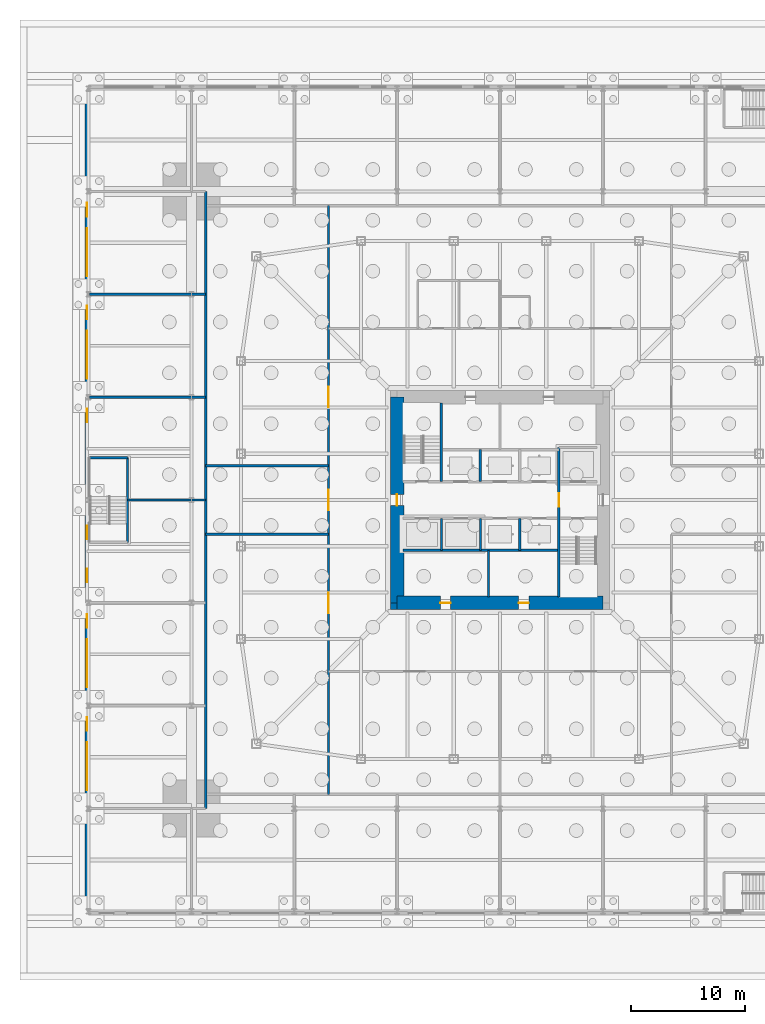
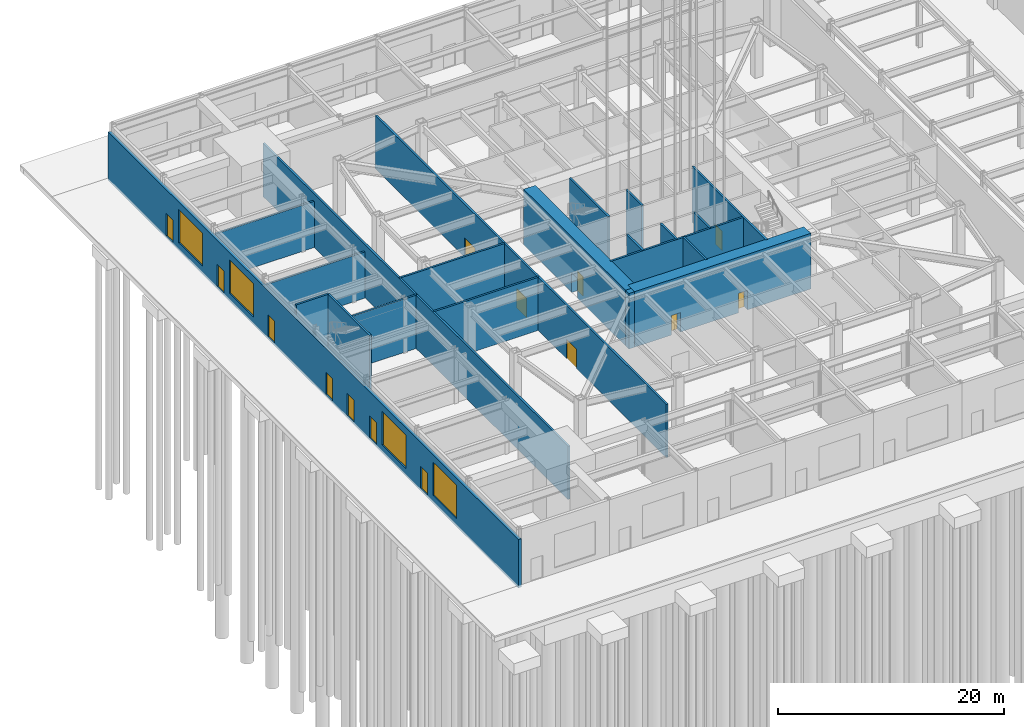
# One storey, part 14 of 37: 21 walls, 14 doors, 4 windows, 18 openings.
"""IFC4 building model written with IfcOpenShell, lengths in metres."""

from ifc_helpers import new_model, si_unit, direction, frame, frame_2d, origin, place, context, subcontext, project, spatial, rectangle, extrude, material, layer, layer_set, type_object, element, fill, save


model = new_model("IFC4")

# Units and contexts
model_context = context("Model", 3, precision=1e-05, world=origin(), true_north=direction((0.0, 1.0)))
body_context = subcontext(model_context, "Body", "Model", "MODEL_VIEW")
ifc_project = project(units=[si_unit("LENGTHUNIT", "METRE"), si_unit("AREAUNIT", "SQUARE_METRE"), si_unit("VOLUMEUNIT", "CUBIC_METRE"), si_unit("PLANEANGLEUNIT", "RADIAN"), si_unit("MASSUNIT", "GRAM", prefix="KILO")], contexts=[model_context])

# Site, building, storey
site_placement = place(None, origin())
site = spatial("IfcSite", under=ifc_project, at=site_placement, CompositionType="ELEMENT")
building_placement = place(site_placement, origin())
building = spatial("IfcBuilding", under=site, at=building_placement, Name="Iwan Alto Co-Living Towers", CompositionType="ELEMENT")
storey_placement = place(building_placement, origin())
storey = spatial("IfcBuildingStorey", under=building, at=storey_placement, Name="L00", CompositionType="ELEMENT", Elevation=0.0)

# Wall, openings, doors, windows
ifc_material_1 = material(Name="Fired clay brick facing", Category="masonry")
ifc_layer_1 = layer(ifc_material_1, 0.10009765625, Name="Brick facing", Category="Finish")
ifc_material_2 = material(Name="Concrete f'c 70 MPa", Category="concrete")
ifc_layer_2 = layer(ifc_material_2, 0.199951171875, Name="Reinforced concrete", Category="LoadBearing")
ifc_layer_set_1 = layer_set([ifc_layer_1, ifc_layer_2], Name="PODIUM BRICK WALL 300")
wall_type_1 = type_object("IfcWallType", Name="PODIUM BRICK WALL 300", PredefinedType="SOLIDWALL", material=ifc_layer_set_1)
wall_1_placement = place(storey_placement, frame((-36.14990234375, 36.300048828125, -0.25), z_axis=(0.0, 0.0, 1.0), x_axis=(0.0, -1.0, 0.0)))
wall_1 = element("IfcWall", 1, at=wall_1_placement, inside=storey, type_object=wall_type_1, Name="Podium wall W L00", PredefinedType="SOLIDWALL", context=body_context, shape_type="SweptSolid", body=[
    extrude(rectangle(XDim=72.60009765625, YDim=0.300048828125, at=frame_2d((36.300048828125, 0.0))), origin(), (0.0, 0.0, 1.0), 5.23046875),
])
opening_1_placement = place(wall_1_placement, frame((55.300048828125, 0.0, 0.25)))
opening_1 = element("IfcOpeningElement", 2, at=opening_1_placement, cuts=wall_1, Name="Opening DE1", PredefinedType="OPENING", context=body_context, shape_type="SweptSolid", body=[
    extrude(rectangle(XDim=1.199951171875, YDim=2.39990234375, at=frame_2d((0.60009765625, 1.199951171875))), frame((0.0, 0.159912109375, 0.0), z_axis=(0.0, -1.0, 0.0), x_axis=(1.0, 0.0, 0.0)), (0.0, 0.0, 1.0), 0.320068359375),
])
opening_2_placement = place(wall_1_placement, frame((57.5, 0.0, 0.85009765625)))
opening_2 = element("IfcOpeningElement", 3, at=opening_2_placement, cuts=wall_1, Name="Opening WN2", PredefinedType="OPENING", context=body_context, shape_type="SweptSolid", body=[
    extrude(rectangle(XDim=4.199951171875, YDim=3.60009765625, at=frame_2d((2.10009765625, 1.800048828125))), frame((0.0, 0.159912109375, 0.0), z_axis=(0.0, -1.0, 0.0), x_axis=(1.0, 0.0, 0.0)), (0.0, 0.0, 1.0), 0.320068359375),
])
opening_3_placement = place(wall_1_placement, frame((46.300048828125, 0.0, 0.25)))
opening_3 = element("IfcOpeningElement", 4, at=opening_3_placement, cuts=wall_1, Name="Opening DE1", PredefinedType="OPENING", context=body_context, shape_type="SweptSolid", body=[
    extrude(rectangle(XDim=1.199951171875, YDim=2.39990234375, at=frame_2d((0.60009765625, 1.199951171875))), frame((0.0, 0.159912109375, 0.0), z_axis=(0.0, -1.0, 0.0), x_axis=(1.0, 0.0, 0.0)), (0.0, 0.0, 1.0), 0.320068359375),
])
opening_4_placement = place(wall_1_placement, frame((48.5, 0.0, 0.85009765625)))
opening_4 = element("IfcOpeningElement", 5, at=opening_4_placement, cuts=wall_1, Name="Opening WN2", PredefinedType="OPENING", context=body_context, shape_type="SweptSolid", body=[
    extrude(rectangle(XDim=4.199951171875, YDim=3.60009765625, at=frame_2d((2.10009765625, 1.800048828125))), frame((0.0, 0.159912109375, 0.0), z_axis=(0.0, -1.0, 0.0), x_axis=(1.0, 0.0, 0.0)), (0.0, 0.0, 1.0), 0.320068359375),
])
opening_5_placement = place(wall_1_placement, frame((19.300048828125, 0.0, 0.25)))
opening_5 = element("IfcOpeningElement", 6, at=opening_5_placement, cuts=wall_1, Name="Opening DE1", PredefinedType="OPENING", context=body_context, shape_type="SweptSolid", body=[
    extrude(rectangle(XDim=1.199951171875, YDim=2.39990234375, at=frame_2d((0.60009765625, 1.199951171875))), frame((0.0, 0.159912109375, 0.0), z_axis=(0.0, -1.0, 0.0), x_axis=(1.0, 0.0, 0.0)), (0.0, 0.0, 1.0), 0.320068359375),
])
opening_6_placement = place(wall_1_placement, frame((21.5, 0.0, 0.85009765625)))
opening_6 = element("IfcOpeningElement", 7, at=opening_6_placement, cuts=wall_1, Name="Opening WN2", PredefinedType="OPENING", context=body_context, shape_type="SweptSolid", body=[
    extrude(rectangle(XDim=4.199951171875, YDim=3.60009765625, at=frame_2d((2.10009765625, 1.800048828125))), frame((0.0, 0.159912109375, 0.0), z_axis=(0.0, -1.0, 0.0), x_axis=(1.0, 0.0, 0.0)), (0.0, 0.0, 1.0), 0.320068359375),
])
opening_7_placement = place(wall_1_placement, frame((10.300048828125, 0.0, 0.25)))
opening_7 = element("IfcOpeningElement", 8, at=opening_7_placement, cuts=wall_1, Name="Opening DE1", PredefinedType="OPENING", context=body_context, shape_type="SweptSolid", body=[
    extrude(rectangle(XDim=1.199951171875, YDim=2.39990234375, at=frame_2d((0.60009765625, 1.199951171875))), frame((0.0, 0.159912109375, 0.0), z_axis=(0.0, -1.0, 0.0), x_axis=(1.0, 0.0, 0.0)), (0.0, 0.0, 1.0), 0.320068359375),
])
opening_8_placement = place(wall_1_placement, frame((12.5, 0.0, 0.85009765625)))
opening_8 = element("IfcOpeningElement", 9, at=opening_8_placement, cuts=wall_1, Name="Opening WN2", PredefinedType="OPENING", context=body_context, shape_type="SweptSolid", body=[
    extrude(rectangle(XDim=4.199951171875, YDim=3.60009765625, at=frame_2d((2.10009765625, 1.800048828125))), frame((0.0, 0.159912109375, 0.0), z_axis=(0.0, -1.0, 0.0), x_axis=(1.0, 0.0, 0.0)), (0.0, 0.0, 1.0), 0.320068359375),
])
opening_9_placement = place(wall_1_placement, frame((38.550048828125, 0.0, 0.25)))
opening_9 = element("IfcOpeningElement", 10, at=opening_9_placement, cuts=wall_1, Name="Opening DE3", PredefinedType="OPENING", context=body_context, shape_type="SweptSolid", body=[
    extrude(rectangle(XDim=1.199951171875, YDim=2.39990234375, at=frame_2d((0.60009765625, 1.199951171875))), frame((0.0, 0.159912109375, 0.0), z_axis=(0.0, -1.0, 0.0), x_axis=(1.0, 0.0, 0.0)), (0.0, 0.0, 1.0), 0.320068359375),
])
opening_10_placement = place(wall_1_placement, frame((42.300048828125, 0.0, 0.25)))
opening_10 = element("IfcOpeningElement", 11, at=opening_10_placement, cuts=wall_1, Name="Opening DE1", PredefinedType="OPENING", context=body_context, shape_type="SweptSolid", body=[
    extrude(rectangle(XDim=1.199951171875, YDim=2.39990234375, at=frame_2d((0.60009765625, 1.199951171875))), frame((0.0, 0.159912109375, 0.0), z_axis=(0.0, -1.0, 0.0), x_axis=(1.0, 0.0, 0.0)), (0.0, 0.0, 1.0), 0.320068359375),
])
opening_11_placement = place(wall_1_placement, frame((28.300048828125, 0.0, 0.25)))
opening_11 = element("IfcOpeningElement", 12, at=opening_11_placement, cuts=wall_1, Name="Opening DE1", PredefinedType="OPENING", context=body_context, shape_type="SweptSolid", body=[
    extrude(rectangle(XDim=1.199951171875, YDim=2.39990234375, at=frame_2d((0.60009765625, 1.199951171875))), frame((0.0, 0.159912109375, 0.0), z_axis=(0.0, -1.0, 0.0), x_axis=(1.0, 0.0, 0.0)), (0.0, 0.0, 1.0), 0.320068359375),
])
ifc_material_3 = material(Name="Steel door", Category="steel")
door_type_1 = type_object("IfcDoorType", Name="EXIT DOOR FD60 1200X2400", OperationType="SINGLE_SWING_LEFT", PredefinedType="DOOR", material=ifc_material_3)
door_1_placement = place(opening_9_placement, frame((1.199951171875, 0.0, 0.0), z_axis=(0.0, 0.0, 1.0), x_axis=(-1.0, 0.0, 0.0)))
door_1 = element("IfcDoor", 13, at=door_1_placement, inside=storey, type_object=door_type_1, Name="Stair PS1 exit door", OperationType="SINGLE_SWING_LEFT", OverallHeight=2.39990234375, OverallWidth=1.199951171875, PredefinedType="DOOR", context=body_context, shape_type="SweptSolid", body=[
    extrude(rectangle(XDim=1.199951171875, YDim=2.39990234375, at=frame_2d((0.60009765625, 1.199951171875))), frame((0.0, 0.02490234375, 0.0), z_axis=(0.0, -1.0, 0.0), x_axis=(1.0, 0.0, 0.0)), (0.0, 0.0, 1.0), 0.050048828125),
])
fill(opening_9, door_1)
ifc_material_4 = material(Name="Bronze aluminium glazed door", Category="aluminium")
door_type_2 = type_object("IfcDoorType", Name="SHOP DOOR 1200X2400", OperationType="SINGLE_SWING_LEFT", PredefinedType="DOOR", material=ifc_material_4)
door_2_placement = place(opening_1_placement, frame((1.199951171875, 0.0, 0.0), z_axis=(0.0, 0.0, 1.0), x_axis=(-1.0, 0.0, 0.0)))
door_2 = element("IfcDoor", 14, at=door_2_placement, inside=storey, type_object=door_type_2, Name="Shop door", OperationType="SINGLE_SWING_LEFT", OverallHeight=2.39990234375, OverallWidth=1.199951171875, PredefinedType="DOOR", context=body_context, shape_type="SweptSolid", body=[
    extrude(rectangle(XDim=1.199951171875, YDim=2.39990234375, at=frame_2d((0.60009765625, 1.199951171875))), frame((0.0, 0.02490234375, 0.0), z_axis=(0.0, -1.0, 0.0), x_axis=(1.0, 0.0, 0.0)), (0.0, 0.0, 1.0), 0.050048828125),
])
fill(opening_1, door_2)
door_3_placement = place(opening_3_placement, frame((1.199951171875, 0.0, 0.0), z_axis=(0.0, 0.0, 1.0), x_axis=(-1.0, 0.0, 0.0)))
door_3 = element("IfcDoor", 15, at=door_3_placement, inside=storey, type_object=door_type_2, Name="Shop door", OperationType="SINGLE_SWING_LEFT", OverallHeight=2.39990234375, OverallWidth=1.199951171875, PredefinedType="DOOR", context=body_context, shape_type="SweptSolid", body=[
    extrude(rectangle(XDim=1.199951171875, YDim=2.39990234375, at=frame_2d((0.60009765625, 1.199951171875))), frame((0.0, 0.02490234375, 0.0), z_axis=(0.0, -1.0, 0.0), x_axis=(1.0, 0.0, 0.0)), (0.0, 0.0, 1.0), 0.050048828125),
])
fill(opening_3, door_3)
door_4_placement = place(opening_5_placement, frame((1.199951171875, 0.0, 0.0), z_axis=(0.0, 0.0, 1.0), x_axis=(-1.0, 0.0, 0.0)))
door_4 = element("IfcDoor", 16, at=door_4_placement, inside=storey, type_object=door_type_2, Name="Shop door", OperationType="SINGLE_SWING_RIGHT", OverallHeight=2.39990234375, OverallWidth=1.199951171875, PredefinedType="DOOR", context=body_context, shape_type="SweptSolid", body=[
    extrude(rectangle(XDim=1.199951171875, YDim=2.39990234375, at=frame_2d((0.60009765625, 1.199951171875))), frame((0.0, 0.02490234375, 0.0), z_axis=(0.0, -1.0, 0.0), x_axis=(1.0, 0.0, 0.0)), (0.0, 0.0, 1.0), 0.050048828125),
])
fill(opening_5, door_4)
door_5_placement = place(opening_7_placement, frame((1.199951171875, 0.0, 0.0), z_axis=(0.0, 0.0, 1.0), x_axis=(-1.0, 0.0, 0.0)))
door_5 = element("IfcDoor", 17, at=door_5_placement, inside=storey, type_object=door_type_2, Name="Shop door", OperationType="SINGLE_SWING_RIGHT", OverallHeight=2.39990234375, OverallWidth=1.199951171875, PredefinedType="DOOR", context=body_context, shape_type="SweptSolid", body=[
    extrude(rectangle(XDim=1.199951171875, YDim=2.39990234375, at=frame_2d((0.60009765625, 1.199951171875))), frame((0.0, 0.02490234375, 0.0), z_axis=(0.0, -1.0, 0.0), x_axis=(1.0, 0.0, 0.0)), (0.0, 0.0, 1.0), 0.050048828125),
])
fill(opening_7, door_5)
door_6_placement = place(opening_10_placement, frame((1.199951171875, 0.0, 0.0), z_axis=(0.0, 0.0, 1.0), x_axis=(-1.0, 0.0, 0.0)))
door_6 = element("IfcDoor", 18, at=door_6_placement, inside=storey, type_object=door_type_2, Name="Shop door", OperationType="SINGLE_SWING_LEFT", OverallHeight=2.39990234375, OverallWidth=1.199951171875, PredefinedType="DOOR", context=body_context, shape_type="SweptSolid", body=[
    extrude(rectangle(XDim=1.199951171875, YDim=2.39990234375, at=frame_2d((0.60009765625, 1.199951171875))), frame((0.0, 0.02490234375, 0.0), z_axis=(0.0, -1.0, 0.0), x_axis=(1.0, 0.0, 0.0)), (0.0, 0.0, 1.0), 0.050048828125),
])
fill(opening_10, door_6)
door_7_placement = place(opening_11_placement, frame((1.199951171875, 0.0, 0.0), z_axis=(0.0, 0.0, 1.0), x_axis=(-1.0, 0.0, 0.0)))
door_7 = element("IfcDoor", 19, at=door_7_placement, inside=storey, type_object=door_type_2, Name="Shop door", OperationType="SINGLE_SWING_RIGHT", OverallHeight=2.39990234375, OverallWidth=1.199951171875, PredefinedType="DOOR", context=body_context, shape_type="SweptSolid", body=[
    extrude(rectangle(XDim=1.199951171875, YDim=2.39990234375, at=frame_2d((0.60009765625, 1.199951171875))), frame((0.0, 0.02490234375, 0.0), z_axis=(0.0, -1.0, 0.0), x_axis=(1.0, 0.0, 0.0)), (0.0, 0.0, 1.0), 0.050048828125),
])
fill(opening_11, door_7)
ifc_material_5 = material(Name="Bronze aluminium shopfront frame", Category="aluminium")
window_type = type_object("IfcWindowType", Name="WN2 SHOPFRONT 4200X3600", PartitioningType="SINGLE_PANEL", PredefinedType="WINDOW", material=ifc_material_5)
window_1_placement = place(opening_2_placement, origin())
window_1 = element("IfcWindow", 20, at=window_1_placement, inside=storey, type_object=window_type, Name="Shopfront", OverallHeight=3.60009765625, OverallWidth=4.199951171875, PartitioningType="SINGLE_PANEL", PredefinedType="WINDOW", context=body_context, shape_type="SweptSolid", body=[
    extrude(rectangle(XDim=4.199951171875, YDim=3.60009765625, at=frame_2d((2.10009765625, 1.800048828125))), frame((0.0, 0.030029296875, 0.0), z_axis=(0.0, -1.0, 0.0), x_axis=(1.0, 0.0, 0.0)), (0.0, 0.0, 1.0), 0.06005859375),
])
fill(opening_2, window_1)
window_2_placement = place(opening_4_placement, origin())
window_2 = element("IfcWindow", 21, at=window_2_placement, inside=storey, type_object=window_type, Name="Shopfront", OverallHeight=3.60009765625, OverallWidth=4.199951171875, PartitioningType="SINGLE_PANEL", PredefinedType="WINDOW", context=body_context, shape_type="SweptSolid", body=[
    extrude(rectangle(XDim=4.199951171875, YDim=3.60009765625, at=frame_2d((2.10009765625, 1.800048828125))), frame((0.0, 0.030029296875, 0.0), z_axis=(0.0, -1.0, 0.0), x_axis=(1.0, 0.0, 0.0)), (0.0, 0.0, 1.0), 0.06005859375),
])
fill(opening_4, window_2)
window_3_placement = place(opening_6_placement, origin())
window_3 = element("IfcWindow", 22, at=window_3_placement, inside=storey, type_object=window_type, Name="Shopfront", OverallHeight=3.60009765625, OverallWidth=4.199951171875, PartitioningType="SINGLE_PANEL", PredefinedType="WINDOW", context=body_context, shape_type="SweptSolid", body=[
    extrude(rectangle(XDim=4.199951171875, YDim=3.60009765625, at=frame_2d((2.10009765625, 1.800048828125))), frame((0.0, 0.030029296875, 0.0), z_axis=(0.0, -1.0, 0.0), x_axis=(1.0, 0.0, 0.0)), (0.0, 0.0, 1.0), 0.06005859375),
])
fill(opening_6, window_3)
window_4_placement = place(opening_8_placement, origin())
window_4 = element("IfcWindow", 23, at=window_4_placement, inside=storey, type_object=window_type, Name="Shopfront", OverallHeight=3.60009765625, OverallWidth=4.199951171875, PartitioningType="SINGLE_PANEL", PredefinedType="WINDOW", context=body_context, shape_type="SweptSolid", body=[
    extrude(rectangle(XDim=4.199951171875, YDim=3.60009765625, at=frame_2d((2.10009765625, 1.800048828125))), frame((0.0, 0.030029296875, 0.0), z_axis=(0.0, -1.0, 0.0), x_axis=(1.0, 0.0, 0.0)), (0.0, 0.0, 1.0), 0.06005859375),
])
fill(opening_8, window_4)

# Walls
ifc_material_6 = material(Name="Concrete block masonry f*p 10 MPa", Category="masonry")
ifc_layer_3 = layer(ifc_material_6, 0.199951171875)
ifc_layer_set_2 = layer_set([ifc_layer_3], Name="PODIUM INTERNAL WALL 200")
wall_type_2 = type_object("IfcWallType", Name="PODIUM INTERNAL WALL 200", PredefinedType="SOLIDWALL", material=ifc_layer_set_2)
wall_2_placement = place(storey_placement, frame((-25.75, -3.0, 0.0), z_axis=(0.0, 0.0, 1.0), x_axis=(1.0, 0.0, 0.0)))
element("IfcWall", 24, at=wall_2_placement, inside=storey, type_object=wall_type_2, Name="Partition L00", PredefinedType="SOLIDWALL", context=body_context, shape_type="SweptSolid", body=[
    extrude(rectangle(XDim=10.75, YDim=0.199951171875, at=frame_2d((5.375, 0.0))), origin(), (0.0, 0.0, 1.0), 5.75),
])
wall_3_placement = place(storey_placement, frame((-32.60009765625, 0.0, 0.0), z_axis=(0.0, 0.0, 1.0), x_axis=(1.0, 0.0, 0.0)))
element("IfcWall", 25, at=wall_3_placement, inside=storey, type_object=wall_type_2, Name="Partition L00", PredefinedType="SOLIDWALL", context=body_context, shape_type="SweptSolid", body=[
    extrude(rectangle(XDim=6.85009765625, YDim=0.199951171875, at=frame_2d((3.425048828125, 0.0))), origin(), (0.0, 0.0, 1.0), 5.75),
])
wall_4_placement = place(storey_placement, frame((-25.75, 3.0, 0.0), z_axis=(0.0, 0.0, 1.0), x_axis=(1.0, 0.0, 0.0)))
element("IfcWall", 26, at=wall_4_placement, inside=storey, type_object=wall_type_2, Name="Partition L00", PredefinedType="SOLIDWALL", context=body_context, shape_type="SweptSolid", body=[
    extrude(rectangle(XDim=10.75, YDim=0.199951171875, at=frame_2d((5.375, 0.0))), origin(), (0.0, 0.0, 1.0), 5.75),
])
for number, where, z_axis, x_axis, name in (
    (27, (-35.93994140625, 9.0, 0.0), (0.0, 0.0, 1.0), (1.0, 0.0, 0.0), "Partition L00"),
    (28, (-35.93994140625, 18.0, 0.0), (0.0, 0.0, 1.0), (1.0, 0.0, 0.0), "Partition L00"),
):
    element("IfcWall", number, at=place(storey_placement, frame(where, z_axis=z_axis, x_axis=x_axis)), inside=storey, type_object=wall_type_2, Name=name, PredefinedType="SOLIDWALL", context=body_context, shape_type="SweptSolid", body=[
        extrude(rectangle(XDim=10.18994140625, YDim=0.199951171875, at=frame_2d((5.094970703125, 0.0))), origin(), (0.0, 0.0, 1.0), 4.98046875),
    ])

# Wall, openings, doors
wall_5_placement = place(storey_placement, frame((-15.0, -25.75, 0.0), z_axis=(0.0, 0.0, 1.0), x_axis=(0.0, 1.0, 0.0)))
wall_5 = element("IfcWall", 29, at=wall_5_placement, inside=storey, type_object=wall_type_2, Name="Partition L00", PredefinedType="SOLIDWALL", context=body_context, shape_type="SweptSolid", body=[
    extrude(rectangle(XDim=51.5, YDim=0.199951171875, at=frame_2d((25.75, 0.0))), origin(), (0.0, 0.0, 1.0), 5.75),
])
opening_12_placement = place(wall_5_placement, frame((33.85009765625, 0.0, 0.0)))
opening_12 = element("IfcOpeningElement", 30, at=opening_12_placement, cuts=wall_5, Name="Opening D9", PredefinedType="OPENING", context=body_context, shape_type="SweptSolid", body=[
    extrude(rectangle(XDim=1.800048828125, YDim=2.10009765625, at=frame_2d((0.89990234375, 1.050048828125))), frame((0.0, 0.10986328125, 0.0), z_axis=(0.0, -1.0, 0.0), x_axis=(1.0, 0.0, 0.0)), (0.0, 0.0, 1.0), 0.219970703125),
])
opening_13_placement = place(wall_5_placement, frame((24.85009765625, 0.0, 0.0)))
opening_13 = element("IfcOpeningElement", 31, at=opening_13_placement, cuts=wall_5, Name="Opening D9", PredefinedType="OPENING", context=body_context, shape_type="SweptSolid", body=[
    extrude(rectangle(XDim=1.800048828125, YDim=2.10009765625, at=frame_2d((0.89990234375, 1.050048828125))), frame((0.0, 0.10986328125, 0.0), z_axis=(0.0, -1.0, 0.0), x_axis=(1.0, 0.0, 0.0)), (0.0, 0.0, 1.0), 0.219970703125),
])
opening_14_placement = place(wall_5_placement, frame((15.85009765625, 0.0, 0.0)))
opening_14 = element("IfcOpeningElement", 32, at=opening_14_placement, cuts=wall_5, Name="Opening D9", PredefinedType="OPENING", context=body_context, shape_type="SweptSolid", body=[
    extrude(rectangle(XDim=1.800048828125, YDim=2.10009765625, at=frame_2d((0.89990234375, 1.050048828125))), frame((0.0, 0.10986328125, 0.0), z_axis=(0.0, -1.0, 0.0), x_axis=(1.0, 0.0, 0.0)), (0.0, 0.0, 1.0), 0.219970703125),
])
ifc_material_7 = material(Name="Steel frame with timber leaf", Category="steel")
door_type_3 = type_object("IfcDoorType", Name="LOUNGE DOOR FD30S 1800X2100", OperationType="DOUBLE_DOOR_SINGLE_SWING", PredefinedType="DOOR", material=ifc_material_7)
door_8_placement = place(opening_12_placement, origin())
door_8 = element("IfcDoor", 33, at=door_8_placement, inside=storey, type_object=door_type_3, Name="Games room door L00", OperationType="DOUBLE_DOOR_SINGLE_SWING", OverallHeight=2.10009765625, OverallWidth=1.800048828125, PredefinedType="DOOR", context=body_context, shape_type="SweptSolid", body=[
    extrude(rectangle(XDim=1.800048828125, YDim=2.10009765625, at=frame_2d((0.89990234375, 1.050048828125))), frame((0.0, 0.02490234375, 0.0), z_axis=(0.0, -1.0, 0.0), x_axis=(1.0, 0.0, 0.0)), (0.0, 0.0, 1.0), 0.050048828125),
])
fill(opening_12, door_8)
door_9_placement = place(opening_13_placement, origin())
door_9 = element("IfcDoor", 34, at=door_9_placement, inside=storey, type_object=door_type_3, Name="Security office door L00", OperationType="DOUBLE_DOOR_SINGLE_SWING", OverallHeight=2.10009765625, OverallWidth=1.800048828125, PredefinedType="DOOR", context=body_context, shape_type="SweptSolid", body=[
    extrude(rectangle(XDim=1.800048828125, YDim=2.10009765625, at=frame_2d((0.89990234375, 1.050048828125))), frame((0.0, 0.02490234375, 0.0), z_axis=(0.0, -1.0, 0.0), x_axis=(1.0, 0.0, 0.0)), (0.0, 0.0, 1.0), 0.050048828125),
])
fill(opening_13, door_9)
door_10_placement = place(opening_14_placement, origin())
door_10 = element("IfcDoor", 35, at=door_10_placement, inside=storey, type_object=door_type_3, Name="Bike workshop door L00", OperationType="DOUBLE_DOOR_SINGLE_SWING", OverallHeight=2.10009765625, OverallWidth=1.800048828125, PredefinedType="DOOR", context=body_context, shape_type="SweptSolid", body=[
    extrude(rectangle(XDim=1.800048828125, YDim=2.10009765625, at=frame_2d((0.89990234375, 1.050048828125))), frame((0.0, 0.02490234375, 0.0), z_axis=(0.0, -1.0, 0.0), x_axis=(1.0, 0.0, 0.0)), (0.0, 0.0, 1.0), 0.050048828125),
])
fill(opening_14, door_10)

# Walls
wall_6_placement = place(storey_placement, frame((-25.75, -27.0, 0.0), z_axis=(0.0, 0.0, 1.0), x_axis=(0.0, 1.0, 0.0)))
element("IfcWall", 36, at=wall_6_placement, inside=storey, type_object=wall_type_2, Name="Partition L00", PredefinedType="SOLIDWALL", context=body_context, shape_type="SweptSolid", body=[
    extrude(rectangle(XDim=54.0, YDim=0.199951171875, at=frame_2d((27.0, 0.0))), origin(), (0.0, 0.0, 1.0), 5.75),
])
ifc_material_8 = material(Name="Concrete f'c 70 MPa", Category="concrete")
ifc_layer_4 = layer(ifc_material_8, 0.199951171875)
ifc_layer_set_3 = layer_set([ifc_layer_4], Name="SHAFT WALL 200")
wall_type_3 = type_object("IfcWallType", Name="SHAFT WALL 200", PredefinedType="SOLIDWALL", material=ifc_layer_set_3)
wall_7_placement = place(storey_placement, frame((-8.489990234375, -4.39990234375, 0.0), z_axis=(0.0, 0.0, 1.0), x_axis=(1.0, 0.0, 0.0)))
element("IfcWall", 37, at=wall_7_placement, inside=storey, type_object=wall_type_3, Name="Shaft wall L00", PredefinedType="SOLIDWALL", context=body_context, shape_type="SweptSolid", body=[
    extrude(rectangle(XDim=13.639892578125, YDim=0.199951171875, at=frame_2d((6.81982421875, 0.0))), origin(), (0.0, 0.0, 1.0), 6.0),
])
wall_8_placement = place(storey_placement, frame((-35.93994140625, 3.699951171875, 0.0), z_axis=(0.0, 0.0, 1.0), x_axis=(1.0, 0.0, 0.0)))
element("IfcWall", 38, at=wall_8_placement, inside=storey, type_object=wall_type_3, Name="Shaft wall L00", PredefinedType="SOLIDWALL", context=body_context, shape_type="SweptSolid", body=[
    extrude(rectangle(XDim=3.33984375, YDim=0.199951171875, at=frame_2d((1.669921875, 0.0))), origin(), (0.0, 0.0, 1.0), 6.0),
])

# Wall, opening, door
wall_9_placement = place(storey_placement, frame((5.14990234375, -8.489990234375, 0.0), z_axis=(0.0, 0.0, 1.0), x_axis=(0.0, 1.0, 0.0)))
wall_9 = element("IfcWall", 39, at=wall_9_placement, inside=storey, type_object=wall_type_3, Name="Shaft wall L00", PredefinedType="SOLIDWALL", context=body_context, shape_type="SweptSolid", body=[
    extrude(rectangle(XDim=13.090087890625, YDim=0.199951171875, at=frame_2d((6.544921875, 0.0))), origin(), (0.0, 0.0, 1.0), 6.0),
])
opening_15_placement = place(wall_9_placement, frame((7.889892578125, 0.0, 0.0)))
opening_15 = element("IfcOpeningElement", 40, at=opening_15_placement, cuts=wall_9, Name="Opening D6", PredefinedType="OPENING", context=body_context, shape_type="SweptSolid", body=[
    extrude(rectangle(XDim=1.199951171875, YDim=2.10009765625, at=frame_2d((0.60009765625, 1.050048828125))), frame((0.0, 0.10986328125, 0.0), z_axis=(0.0, -1.0, 0.0), x_axis=(1.0, 0.0, 0.0)), (0.0, 0.0, 1.0), 0.219970703125),
])
ifc_material_9 = material(Name="Steel frame with timber leaf", Category="steel")
door_type_4 = type_object("IfcDoorType", Name="LOBBY DOOR FD120S 1200X2100", OperationType="SINGLE_SWING_LEFT", PredefinedType="DOOR", material=ifc_material_9)
door_11_placement = place(opening_15_placement, frame((1.199951171875, 0.0, 0.0), z_axis=(0.0, 0.0, 1.0), x_axis=(-1.0, 0.0, 0.0)))
door_11 = element("IfcDoor", 41, at=door_11_placement, inside=storey, type_object=door_type_4, Name="Firefighting lobby door L00", OperationType="SINGLE_SWING_RIGHT", OverallHeight=2.10009765625, OverallWidth=1.199951171875, PredefinedType="DOOR", context=body_context, shape_type="SweptSolid", body=[
    extrude(rectangle(XDim=1.199951171875, YDim=2.10009765625, at=frame_2d((0.60009765625, 1.050048828125))), frame((0.0, 0.02490234375, 0.0), z_axis=(0.0, -1.0, 0.0), x_axis=(1.0, 0.0, 0.0)), (0.0, 0.0, 1.0), 0.050048828125),
])
fill(opening_15, door_11)

# Walls
wall_10_placement = place(storey_placement, frame((1.72509765625, -4.39990234375, 0.0), z_axis=(0.0, 0.0, 1.0), x_axis=(0.0, 1.0, 0.0)))
element("IfcWall", 42, at=wall_10_placement, inside=storey, type_object=wall_type_3, Name="Shaft wall L00", PredefinedType="SOLIDWALL", context=body_context, shape_type="SweptSolid", body=[
    extrude(rectangle(XDim=2.7998046875, YDim=0.199951171875, at=frame_2d((1.39990234375, 0.0))), origin(), (0.0, 0.0, 1.0), 6.0),
])
wall_11_placement = place(storey_placement, frame((-1.0, -8.489990234375, 0.0), z_axis=(0.0, 0.0, 1.0), x_axis=(0.0, 1.0, 0.0)))
element("IfcWall", 43, at=wall_11_placement, inside=storey, type_object=wall_type_3, Name="Shaft wall L00", PredefinedType="SOLIDWALL", context=body_context, shape_type="SweptSolid", body=[
    extrude(rectangle(XDim=4.090087890625, YDim=0.199951171875, at=frame_2d((2.044921875, 0.0))), origin(), (0.0, 0.0, 1.0), 6.0),
])
for number, where, z_axis, x_axis, name in (
    (44, (-1.699951171875, -4.39990234375, 0.0), (0.0, 0.0, 1.0), (0.0, 1.0, 0.0), "Shaft wall L00"),
    (45, (-1.717041015625, 1.60009765625, 0.0), (0.0, 0.0, 1.0), (0.0, 1.0, 0.0), "Shaft wall L00"),
    (46, (-5.125, -4.39990234375, 0.0), (0.0, 0.0, 1.0), (0.0, 1.0, 0.0), "Shaft wall L00"),
):
    element("IfcWall", number, at=place(storey_placement, frame(where, z_axis=z_axis, x_axis=x_axis)), inside=storey, type_object=wall_type_3, Name=name, PredefinedType="SOLIDWALL", context=body_context, shape_type="SweptSolid", body=[
        extrude(rectangle(XDim=2.7998046875, YDim=0.199951171875, at=frame_2d((1.39990234375, 0.0))), origin(), (0.0, 0.0, 1.0), 6.0),
    ])
wall_12_placement = place(storey_placement, frame((-5.14990234375, 1.60009765625, 0.0), z_axis=(0.0, 0.0, 1.0), x_axis=(0.0, 1.0, 0.0)))
element("IfcWall", 47, at=wall_12_placement, inside=storey, type_object=wall_type_3, Name="Shaft wall L00", PredefinedType="SOLIDWALL", context=body_context, shape_type="SweptSolid", body=[
    extrude(rectangle(XDim=6.889892578125, YDim=0.199951171875, at=frame_2d((3.44482421875, 0.0))), origin(), (0.0, 0.0, 1.0), 6.0),
])
wall_13_placement = place(storey_placement, frame((-32.60009765625, -3.699951171875, 0.0), z_axis=(0.0, 0.0, 1.0), x_axis=(0.0, 1.0, 0.0)))
element("IfcWall", 48, at=wall_13_placement, inside=storey, type_object=wall_type_3, Name="Shaft wall L00", PredefinedType="SOLIDWALL", context=body_context, shape_type="SweptSolid", body=[
    extrude(rectangle(XDim=7.39990234375, YDim=0.199951171875, at=frame_2d((3.699951171875, 0.0))), origin(), (0.0, 0.0, 1.0), 6.0),
])
ifc_material_10 = material(Name="Concrete f'c 70 MPa", Category="concrete")
ifc_layer_5 = layer(ifc_material_10, 0.60009765625)
ifc_layer_set_4 = layer_set([ifc_layer_5], Name="T1 CORE CORNER FILL 600")
wall_type_4 = type_object("IfcWallType", Name="T1 CORE CORNER FILL 600", PredefinedType="SOLIDWALL", material=ifc_layer_set_4)
wall_14_placement = place(storey_placement, frame((-9.60009765625, -9.300048828125, 0.0), z_axis=(0.0, 0.0, 1.0), x_axis=(1.0, 0.0, 0.0)))
element("IfcWall", 49, at=wall_14_placement, inside=storey, type_object=wall_type_4, Name="T1 core corner SW L00", PredefinedType="SOLIDWALL", context=body_context, shape_type="SweptSolid", body=[
    extrude(rectangle(XDim=0.60009765625, YDim=0.60009765625, at=frame_2d((0.300048828125, 0.0))), origin(), (0.0, 0.0, 1.0), 6.0),
])

# Wall, openings, doors
ifc_material_11 = material(Name="Concrete f'c 70 MPa", Category="concrete")
ifc_layer_6 = layer(ifc_material_11, 1.199951171875)
ifc_layer_set_5 = layer_set([ifc_layer_6], Name="T1 CORE WALL 1200")
wall_type_5 = type_object("IfcWallType", Name="T1 CORE WALL 1200", PredefinedType="SHEAR", material=ifc_layer_set_5)
wall_15_placement = place(storey_placement, frame((-9.0, -9.0, 0.0), z_axis=(0.0, 0.0, 1.0), x_axis=(1.0, 0.0, 0.0)))
wall_15 = element("IfcWall", 50, at=wall_15_placement, inside=storey, type_object=wall_type_5, Name="T1 core wall S L00", PredefinedType="SHEAR", context=body_context, shape_type="SweptSolid", body=[
    extrude(rectangle(XDim=18.0, YDim=1.199951171875, at=frame_2d((9.0, 0.0))), origin(), (0.0, 0.0, 1.0), 6.0),
])
opening_16_placement = place(wall_15_placement, frame((3.77490234375, 0.0, 0.0)))
opening_16 = element("IfcOpeningElement", 51, at=opening_16_placement, cuts=wall_15, Name="Opening D8", PredefinedType="OPENING", context=body_context, shape_type="SweptSolid", body=[
    extrude(rectangle(XDim=0.89990234375, YDim=2.10009765625, at=frame_2d((0.449951171875, 1.050048828125))), frame((0.0, 0.60986328125, 0.0), z_axis=(0.0, -1.0, 0.0), x_axis=(1.0, 0.0, 0.0)), (0.0, 0.0, 1.0), 1.219970703125),
])
opening_17_placement = place(wall_15_placement, frame((10.625, 0.0, 0.0)))
opening_17 = element("IfcOpeningElement", 52, at=opening_17_placement, cuts=wall_15, Name="Opening D8", PredefinedType="OPENING", context=body_context, shape_type="SweptSolid", body=[
    extrude(rectangle(XDim=0.89990234375, YDim=2.10009765625, at=frame_2d((0.449951171875, 1.050048828125))), frame((0.0, 0.60986328125, 0.0), z_axis=(0.0, -1.0, 0.0), x_axis=(1.0, 0.0, 0.0)), (0.0, 0.0, 1.0), 1.219970703125),
])
ifc_material_12 = material(Name="Steel frame with timber leaf", Category="steel")
door_type_5 = type_object("IfcDoorType", Name="RISER DOOR FD120 900X2100", OperationType="SINGLE_SWING_LEFT", PredefinedType="DOOR", material=ifc_material_12)
door_12_placement = place(opening_16_placement, origin())
door_12 = element("IfcDoor", 53, at=door_12_placement, inside=storey, type_object=door_type_5, Name="Refuse room core door L00", OperationType="SINGLE_SWING_LEFT", OverallHeight=2.10009765625, OverallWidth=0.89990234375, PredefinedType="DOOR", context=body_context, shape_type="SweptSolid", body=[
    extrude(rectangle(XDim=0.89990234375, YDim=2.10009765625, at=frame_2d((0.449951171875, 1.050048828125))), frame((0.0, 0.02490234375, 0.0), z_axis=(0.0, -1.0, 0.0), x_axis=(1.0, 0.0, 0.0)), (0.0, 0.0, 1.0), 0.050048828125),
])
fill(opening_16, door_12)
door_13_placement = place(opening_17_placement, origin())
door_13 = element("IfcDoor", 54, at=door_13_placement, inside=storey, type_object=door_type_5, Name="Telecom riser core door L00", OperationType="SINGLE_SWING_LEFT", OverallHeight=2.10009765625, OverallWidth=0.89990234375, PredefinedType="DOOR", context=body_context, shape_type="SweptSolid", body=[
    extrude(rectangle(XDim=0.89990234375, YDim=2.10009765625, at=frame_2d((0.449951171875, 1.050048828125))), frame((0.0, 0.02490234375, 0.0), z_axis=(0.0, -1.0, 0.0), x_axis=(1.0, 0.0, 0.0)), (0.0, 0.0, 1.0), 0.050048828125),
])
fill(opening_17, door_13)

# Wall, opening, door
wall_16_placement = place(storey_placement, frame((-9.0, 9.0, 0.0), z_axis=(0.0, 0.0, 1.0), x_axis=(0.0, -1.0, 0.0)))
wall_16 = element("IfcWall", 55, at=wall_16_placement, inside=storey, type_object=wall_type_5, Name="T1 core wall W L00", PredefinedType="SHEAR", context=body_context, shape_type="SweptSolid", body=[
    extrude(rectangle(XDim=18.0, YDim=1.199951171875, at=frame_2d((9.0, 0.0))), origin(), (0.0, 0.0, 1.0), 6.0),
])
opening_18_placement = place(wall_16_placement, frame((8.5, 0.0, 0.0)))
opening_18 = element("IfcOpeningElement", 56, at=opening_18_placement, cuts=wall_16, Name="Opening D7", PredefinedType="OPENING", context=body_context, shape_type="SweptSolid", body=[
    extrude(rectangle(XDim=1.0, YDim=2.10009765625, at=frame_2d((0.5, 1.050048828125))), frame((0.0, 0.60986328125, 0.0), z_axis=(0.0, -1.0, 0.0), x_axis=(1.0, 0.0, 0.0)), (0.0, 0.0, 1.0), 1.219970703125),
])
ifc_material_13 = material(Name="Steel frame with timber leaf", Category="steel")
door_type_6 = type_object("IfcDoorType", Name="CORE DOOR FD120S 1000X2100", OperationType="SINGLE_SWING_LEFT", PredefinedType="DOOR", material=ifc_material_13)
door_14_placement = place(opening_18_placement, origin())
door_14 = element("IfcDoor", 57, at=door_14_placement, inside=storey, type_object=door_type_6, Name="Lift lobby core door L00", OperationType="SINGLE_SWING_RIGHT", OverallHeight=2.10009765625, OverallWidth=1.0, PredefinedType="DOOR", context=body_context, shape_type="SweptSolid", body=[
    extrude(rectangle(XDim=1.0, YDim=2.10009765625, at=frame_2d((0.5, 1.050048828125))), frame((0.0, 0.02490234375, 0.0), z_axis=(0.0, -1.0, 0.0), x_axis=(1.0, 0.0, 0.0)), (0.0, 0.0, 1.0), 0.050048828125),
])
fill(opening_18, door_14)

save(model, "model.ifc")
